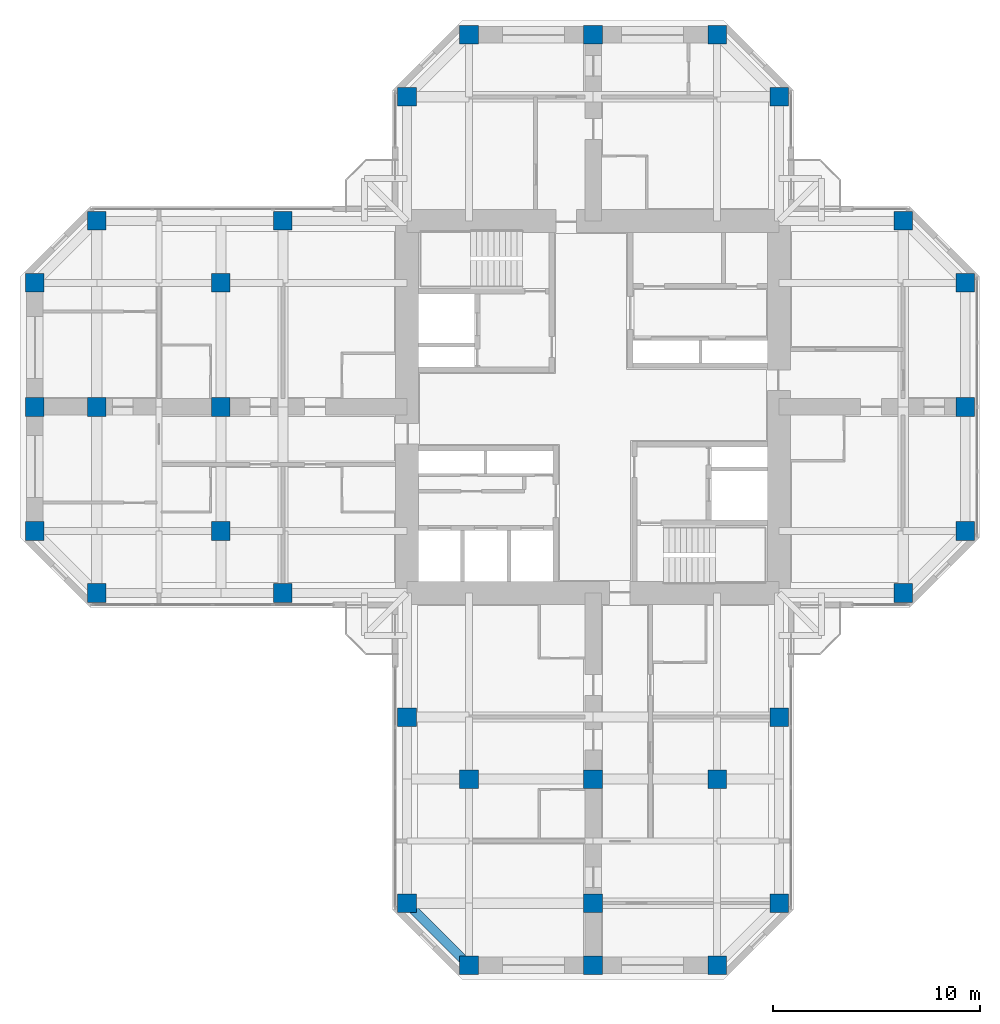
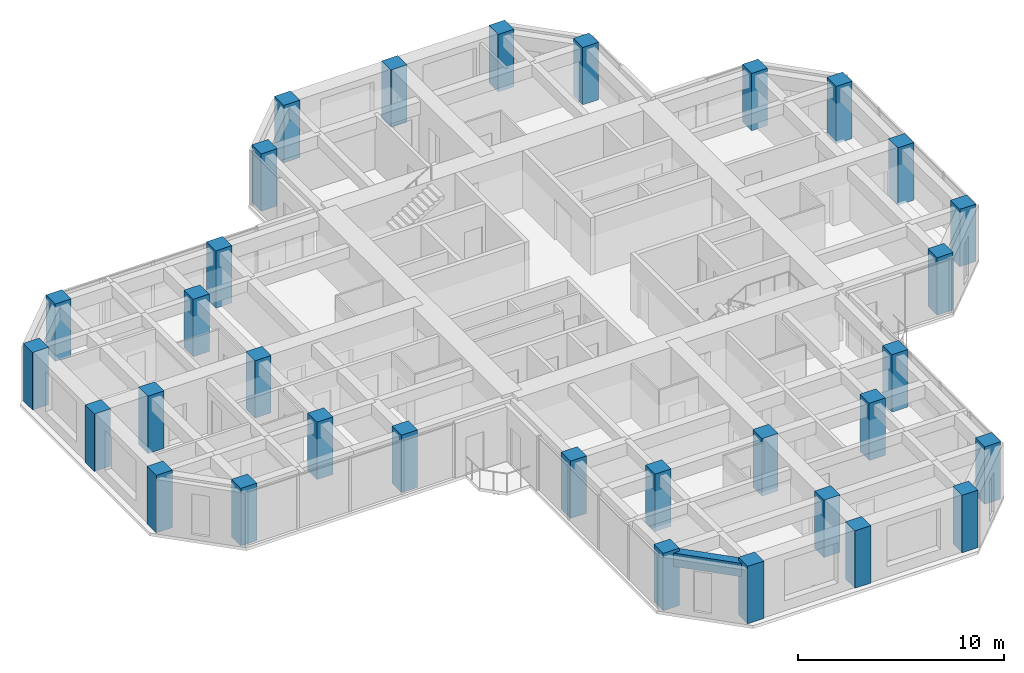
# One storey, part 1 of 13: 32 columns, 1 beam.
"""IFC4 building model written with IfcOpenShell, lengths in metres."""

from ifc_helpers import new_model, si_unit, direction, frame, origin, origin_2d, place, context, subcontext, project, spatial, rectangle, extrude, material, material_profile, profile_set, type_object, element, save


model = new_model("IFC4")

# Units and contexts
model_context = context("Model", 3, precision=1e-05, world=origin(), true_north=direction((0.0, 1.0)))
body_context = subcontext(model_context, "Body", "Model", "MODEL_VIEW")
ifc_project = project(units=[si_unit("LENGTHUNIT", "METRE"), si_unit("AREAUNIT", "SQUARE_METRE"), si_unit("VOLUMEUNIT", "CUBIC_METRE"), si_unit("PLANEANGLEUNIT", "RADIAN"), si_unit("MASSUNIT", "GRAM", prefix="KILO")], contexts=[model_context])

# Site, building, storey
site_placement = place(None, origin())
site = spatial("IfcSite", under=ifc_project, at=site_placement, CompositionType="ELEMENT")
building_placement = place(site_placement, origin())
building = spatial("IfcBuilding", under=site, at=building_placement, Name="Torre Cruceta", CompositionType="ELEMENT")
storey_placement = place(building_placement, frame((0.0, 0.0, 196.699951171875)))
storey = spatial("IfcBuildingStorey", under=building, at=storey_placement, Name="L49", CompositionType="ELEMENT", Elevation=196.699951171875)

# Columns
ifc_material_1 = material(Name="Concrete G60 (fck 60 MPa)", Category="concrete")
ifc_material_profile_1 = material_profile(ifc_material_1, rectangle(XDim=0.89990234375, YDim=0.89990234375, at=origin_2d()), Name="RC 900X900")
ifc_profile_set_1 = profile_set([ifc_material_profile_1], Name="Concrete G60 (fck 60 MPa)")
column_type = type_object("IfcColumnType", Name="COLUMN RC 900X900", PredefinedType="COLUMN", material=ifc_profile_set_1)
for number, where, z_axis, x_axis, name in (
    (1, (9.0, 15.0, 0.0), (0.0, 0.0, 1.0), (1.0, 0.0, 0.0), "C6 L49 N chamfer"),
    (2, (-9.0, 15.0, 0.0), (0.0, 0.0, 1.0), (1.0, 0.0, 0.0), "C6 L49 N chamfer"),
    (3, (6.0, 18.0, 0.0), (0.0, 0.0, 1.0), (1.0, 0.0, 0.0), "C6 L49 N tip"),
    (4, (0.0, 18.0, 0.0), (0.0, 0.0, 1.0), (1.0, 0.0, 0.0), "C6 L49 N tip"),
    (5, (-6.0, 18.0, 0.0), (0.0, 0.0, 1.0), (1.0, 0.0, 0.0), "C6 L49 N tip"),
    (6, (15.0, -9.0, 0.0), (0.0, 0.0, 1.0), (1.0, 0.0, 0.0), "C6 L49 E chamfer"),
    (7, (15.0, 9.0, 0.0), (0.0, 0.0, 1.0), (1.0, 0.0, 0.0), "C6 L49 E chamfer"),
    (8, (18.0, -6.0, 0.0), (0.0, 0.0, 1.0), (1.0, 0.0, 0.0), "C6 L49 E tip"),
    (9, (18.0, 0.0, 0.0), (0.0, 0.0, 1.0), (1.0, 0.0, 0.0), "C6 L49 E tip"),
    (10, (18.0, 6.0, 0.0), (0.0, 0.0, 1.0), (1.0, 0.0, 0.0), "C6 L49 E tip"),
    (11, (-9.0, -15.0, 0.0), (0.0, 0.0, 1.0), (1.0, 0.0, 0.0), "C6 L49 S side"),
    (12, (-9.0, -24.0, 0.0), (0.0, 0.0, 1.0), (1.0, 0.0, 0.0), "C6 L49 S chamfer"),
    (13, (9.0, -15.0, 0.0), (0.0, 0.0, 1.0), (1.0, 0.0, 0.0), "C6 L49 S side"),
    (14, (9.0, -24.0, 0.0), (0.0, 0.0, 1.0), (1.0, 0.0, 0.0), "C6 L49 S chamfer"),
    (15, (-6.0, -27.0, 0.0), (0.0, 0.0, 1.0), (1.0, 0.0, 0.0), "C6 L49 S tip"),
    (16, (0.0, -27.0, 0.0), (0.0, 0.0, 1.0), (1.0, 0.0, 0.0), "C6 L49 S tip"),
    (17, (6.0, -27.0, 0.0), (0.0, 0.0, 1.0), (1.0, 0.0, 0.0), "C6 L49 S tip"),
    (18, (-15.0, 9.0, 0.0), (0.0, 0.0, 1.0), (1.0, 0.0, 0.0), "C6 L49 W side"),
    (19, (-24.0, 9.0, 0.0), (0.0, 0.0, 1.0), (1.0, 0.0, 0.0), "C6 L49 W chamfer"),
    (20, (-15.0, -9.0, 0.0), (0.0, 0.0, 1.0), (1.0, 0.0, 0.0), "C6 L49 W side"),
    (21, (-24.0, -9.0, 0.0), (0.0, 0.0, 1.0), (1.0, 0.0, 0.0), "C6 L49 W chamfer"),
    (22, (-27.0, 6.0, 0.0), (0.0, 0.0, 1.0), (1.0, 0.0, 0.0), "C6 L49 W tip"),
    (23, (-27.0, 0.0, 0.0), (0.0, 0.0, 1.0), (1.0, 0.0, 0.0), "C6 L49 W tip"),
    (24, (-27.0, -6.0, 0.0), (0.0, 0.0, 1.0), (1.0, 0.0, 0.0), "C6 L49 W tip"),
    (25, (-6.0, -18.0, 0.0), (0.0, 0.0, 1.0), (1.0, 0.0, 0.0), "C6 L49 S interior"),
    (26, (0.0, -18.0, 0.0), (0.0, 0.0, 1.0), (1.0, 0.0, 0.0), "C6 L49 S interior"),
    (27, (6.0, -18.0, 0.0), (0.0, 0.0, 1.0), (1.0, 0.0, 0.0), "C6 L49 S interior"),
    (28, (0.0, -24.0, 0.0), (0.0, 0.0, 1.0), (1.0, 0.0, 0.0), "C6 L49 S interior"),
    (29, (-18.0, 6.0, 0.0), (0.0, 0.0, 1.0), (1.0, 0.0, 0.0), "C6 L49 W interior"),
    (30, (-18.0, 0.0, 0.0), (0.0, 0.0, 1.0), (1.0, 0.0, 0.0), "C6 L49 W interior"),
    (31, (-18.0, -6.0, 0.0), (0.0, 0.0, 1.0), (1.0, 0.0, 0.0), "C6 L49 W interior"),
    (32, (-24.0, 0.0, 0.0), (0.0, 0.0, 1.0), (1.0, 0.0, 0.0), "C6 L49 W interior"),
):
    element("IfcColumn", number, at=place(storey_placement, frame(where, z_axis=z_axis, x_axis=x_axis)), inside=storey, type_object=column_type, Name=name, PredefinedType="COLUMN", context=body_context, shape_type="SweptSolid", body=[
        extrude(rectangle(XDim=0.89990234375, YDim=0.89990234375, at=origin_2d()), origin(), (0.0, 0.0, 1.0), 3.400146484375),
    ])

# Beam
ifc_material_2 = material(Name="Concrete G60 (fck 60 MPa)", Category="concrete")
ifc_material_profile_2 = material_profile(ifc_material_2, rectangle(XDim=0.449951171875, YDim=0.800048828125, at=origin_2d()), Name="RC 450X800")
ifc_profile_set_2 = profile_set([ifc_material_profile_2], Name="Concrete G60 (fck 60 MPa)")
beam_type = type_object("IfcBeamType", Name="SPANDREL BEAM RC 450X800", PredefinedType="SPANDREL", material=ifc_profile_set_2)
beam_placement = place(storey_placement, frame((-9.0, -24.0, 2.820068359375), z_axis=(0.707106781187, -0.707106781187, 0.0), x_axis=(0.707106781187, 0.707106781187, 0.0)))
element("IfcBeam", 33, at=beam_placement, inside=storey, type_object=beam_type, Name="SB6 L49 S side- 5", PredefinedType="SPANDREL", context=body_context, shape_type="SweptSolid", body=[
    extrude(rectangle(XDim=0.449951171875, YDim=0.800048828125, at=origin_2d()), origin(), (0.0, 0.0, 1.0), 4.24267578125),
])

save(model, "model.ifc")
